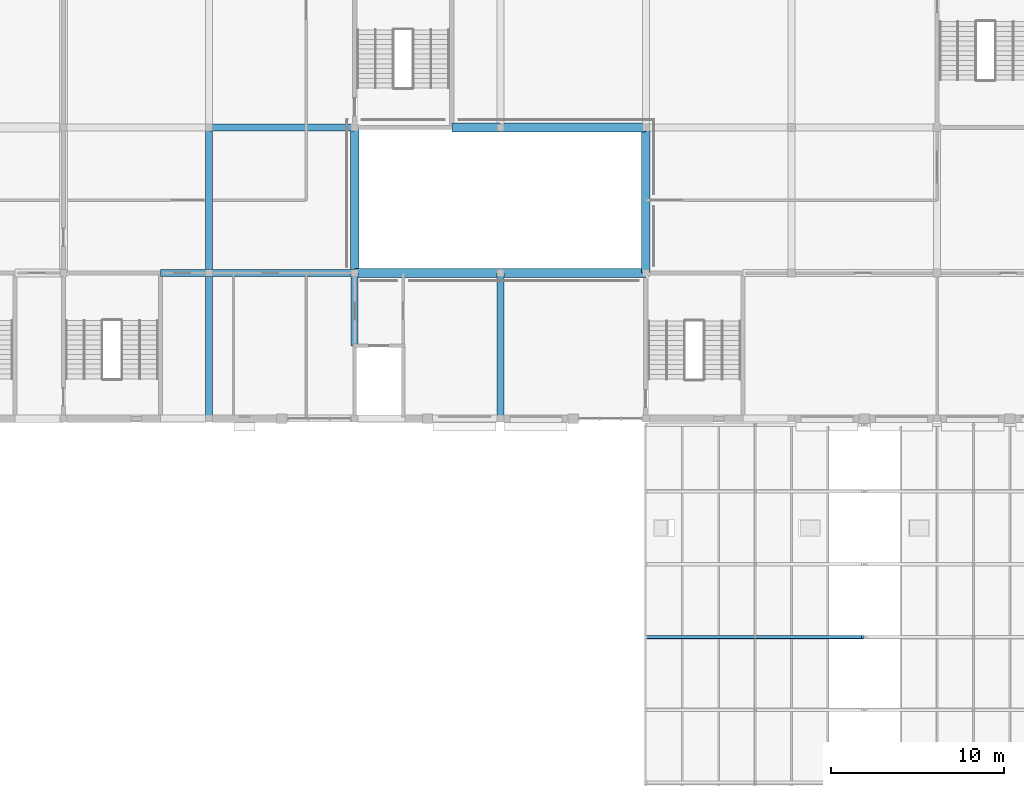
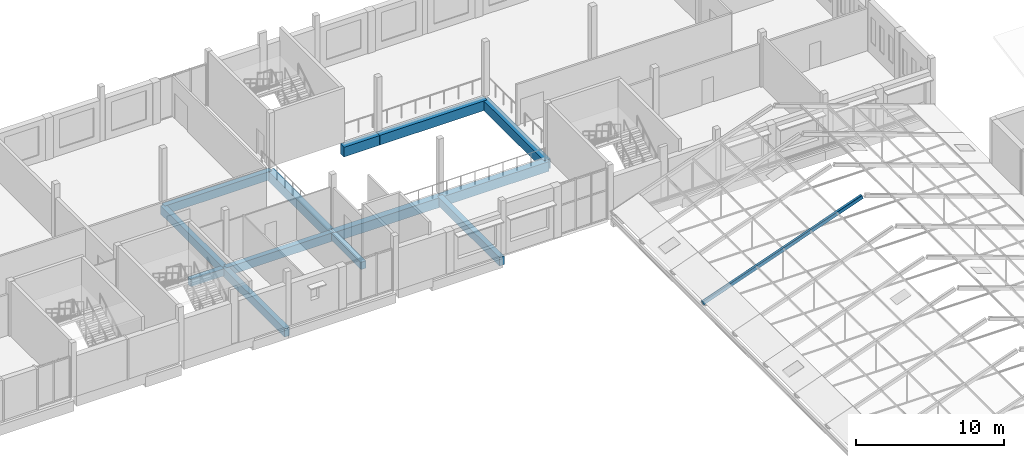
# One storey, part 64 of 116: 13 beams, 1 member.
"""IFC4 building model written with IfcOpenShell, lengths in metres."""

from ifc_helpers import new_model, si_unit, direction, frame, origin, origin_2d, place, context, subcontext, project, spatial, rectangle, hollow_rectangle, extrude, material, material_profile, profile_set, type_object, element, save


model = new_model("IFC4")

# Units and contexts
model_context = context("Model", 3, precision=1e-05, world=origin(), true_north=direction((0.0, 1.0)))
body_context = subcontext(model_context, "Body", "Model", "MODEL_VIEW")
ifc_project = project(units=[si_unit("LENGTHUNIT", "METRE"), si_unit("AREAUNIT", "SQUARE_METRE"), si_unit("VOLUMEUNIT", "CUBIC_METRE"), si_unit("PLANEANGLEUNIT", "RADIAN"), si_unit("MASSUNIT", "GRAM", prefix="KILO")], contexts=[model_context])

# Site, building, storey
site_placement = place(None, origin())
site = spatial("IfcSite", under=ifc_project, at=site_placement, CompositionType="ELEMENT")
building_placement = place(site_placement, origin())
building = spatial("IfcBuilding", under=site, at=building_placement, Name="Fescue Hill Polytechnic", CompositionType="ELEMENT")
storey_placement = place(building_placement, frame((0.0, 0.0, 13.5)))
storey = spatial("IfcBuildingStorey", under=building, at=storey_placement, Name="L03", CompositionType="ELEMENT", Elevation=13.5)

# Beams
ifc_material_1 = material(Name="Concrete 35 MPa", Category="concrete")
ifc_material_profile_1 = material_profile(ifc_material_1, rectangle(XDim=0.39990234375, YDim=0.60009765625, at=origin_2d()), Name="RC 400x600")
ifc_profile_set_1 = profile_set([ifc_material_profile_1], Name="Concrete 35 MPa")
beam_type_1 = type_object("IfcBeamType", Name="Beam RC 400x600", PredefinedType="BEAM", material=ifc_profile_set_1)
beam_1_placement = place(storey_placement, frame((64.39990234375, 117.60009765625, -0.60009765625), z_axis=(1.0, 0.0, 0.0), x_axis=(0.0, 1.0, 0.0)))
element("IfcBeam", 1, at=beam_1_placement, inside=storey, type_object=beam_type_1, Name="BM-L03-0084", PredefinedType="BEAM", context=body_context, shape_type="SweptSolid", body=[
    extrude(rectangle(XDim=0.39990234375, YDim=0.60009765625, at=origin_2d()), origin(), (0.0, 0.0, 1.0), 2.7900390625),
])
beam_2_placement = place(storey_placement, frame((75.60009765625, 113.39990234375, -0.60009765625), z_axis=(0.0, 1.0, 0.0), x_axis=(-1.0, 0.0, 0.0)))
element("IfcBeam", 2, at=beam_2_placement, inside=storey, type_object=beam_type_1, Name="BM-L03-0092", PredefinedType="BEAM", context=body_context, shape_type="SweptSolid", body=[
    extrude(rectangle(XDim=0.39990234375, YDim=0.60009765625, at=origin_2d()), origin(), (0.0, 0.0, 1.0), 4.2001953125),
])
ifc_material_profile_2 = material_profile(ifc_material_1, rectangle(XDim=0.39990234375, YDim=0.699951171875, at=origin_2d()), Name="RC 400x700")
ifc_profile_set_2 = profile_set([ifc_material_profile_2], Name="Concrete 35 MPa")
beam_type_2 = type_object("IfcBeamType", Name="Beam RC 400x700", PredefinedType="BEAM", material=ifc_profile_set_2)
beam_3_placement = place(storey_placement, frame((67.199951171875, 109.199951171875, -0.64990234375), z_axis=(0.0, 1.0, 0.0), x_axis=(-1.0, 0.0, 0.0)))
element("IfcBeam", 3, at=beam_3_placement, inside=storey, type_object=beam_type_2, Name="BM-L03-0085", PredefinedType="BEAM", context=body_context, shape_type="SweptSolid", body=[
    extrude(rectangle(XDim=0.39990234375, YDim=0.699951171875, at=origin_2d()), origin(), (0.0, 0.0, 1.0), 8.400146484375),
])
beam_4_placement = place(storey_placement, frame((67.199951171875, 117.60009765625, -0.64990234375), z_axis=(0.0, 1.0, 0.0), x_axis=(-1.0, 0.0, 0.0)))
element("IfcBeam", 4, at=beam_4_placement, inside=storey, type_object=beam_type_2, Name="BM-L03-0086", PredefinedType="BEAM", context=body_context, shape_type="SweptSolid", body=[
    extrude(rectangle(XDim=0.39990234375, YDim=0.699951171875, at=origin_2d()), origin(), (0.0, 0.0, 1.0), 8.39990234375),
])
for number, where, z_axis, x_axis, name in (
    (5, (67.2099609375, 117.60009765625, -0.64990234375), (1.0, 0.0, 0.0), (0.0, 1.0, 0.0), "BM-L03-0089"),
    (6, (67.2099609375, 126.0, -0.64990234375), (1.0, 0.0, 0.0), (0.0, 1.0, 0.0), "BM-L03-0090"),
):
    element("IfcBeam", number, at=place(storey_placement, frame(where, z_axis=z_axis, x_axis=x_axis)), inside=storey, type_object=beam_type_2, Name=name, PredefinedType="BEAM", context=body_context, shape_type="SweptSolid", body=[
        extrude(rectangle(XDim=0.39990234375, YDim=0.699951171875, at=origin_2d()), origin(), (0.0, 0.0, 1.0), 8.380126953125),
    ])
beam_5_placement = place(storey_placement, frame((84.0, 109.199951171875, -0.64990234375), z_axis=(0.0, 1.0, 0.0), x_axis=(-1.0, 0.0, 0.0)))
element("IfcBeam", 7, at=beam_5_placement, inside=storey, type_object=beam_type_2, Name="BM-L03-0098", PredefinedType="BEAM", context=body_context, shape_type="SweptSolid", body=[
    extrude(rectangle(XDim=0.39990234375, YDim=0.699951171875, at=origin_2d()), origin(), (0.0, 0.0, 1.0), 8.400146484375),
])
ifc_material_profile_3 = material_profile(ifc_material_1, rectangle(XDim=0.5, YDim=0.800048828125, at=origin_2d()), Name="RC 500x800")
ifc_profile_set_3 = profile_set([ifc_material_profile_3], Name="Concrete 35 MPa")
beam_type_3 = type_object("IfcBeamType", Name="Beam RC 500x800", PredefinedType="BEAM", material=ifc_profile_set_3)
beam_6_placement = place(storey_placement, frame((75.60009765625, 117.60009765625, -0.699951171875), z_axis=(0.0, 1.0, 0.0), x_axis=(-1.0, 0.0, 0.0)))
element("IfcBeam", 8, at=beam_6_placement, inside=storey, type_object=beam_type_3, Name="BM-L03-0093", PredefinedType="BEAM", context=body_context, shape_type="SweptSolid", body=[
    extrude(rectangle(XDim=0.5, YDim=0.800048828125, at=origin_2d()), origin(), (0.0, 0.0, 1.0), 8.39990234375),
])
beam_7_placement = place(storey_placement, frame((75.610107421875, 117.60009765625, -0.699951171875), z_axis=(1.0, 0.0, 0.0), x_axis=(0.0, 1.0, 0.0)))
element("IfcBeam", 9, at=beam_7_placement, inside=storey, type_object=beam_type_3, Name="BM-L03-0094", PredefinedType="BEAM", context=body_context, shape_type="SweptSolid", body=[
    extrude(rectangle(XDim=0.5, YDim=0.800048828125, at=origin_2d()), origin(), (0.0, 0.0, 1.0), 8.3798828125),
])
beam_8_placement = place(storey_placement, frame((81.199951171875, 126.0, -0.699951171875), z_axis=(1.0, 0.0, 0.0), x_axis=(0.0, 1.0, 0.0)))
element("IfcBeam", 10, at=beam_8_placement, inside=storey, type_object=beam_type_3, Name="BM-L03-0096", PredefinedType="BEAM", context=body_context, shape_type="SweptSolid", body=[
    extrude(rectangle(XDim=0.5, YDim=0.800048828125, at=origin_2d()), origin(), (0.0, 0.0, 1.0), 2.7900390625),
])
beam_9_placement = place(storey_placement, frame((84.010009765625, 117.60009765625, -0.699951171875), z_axis=(1.0, 0.0, 0.0), x_axis=(0.0, 1.0, 0.0)))
element("IfcBeam", 11, at=beam_9_placement, inside=storey, type_object=beam_type_3, Name="BM-L03-0100", PredefinedType="BEAM", context=body_context, shape_type="SweptSolid", body=[
    extrude(rectangle(XDim=0.5, YDim=0.800048828125, at=origin_2d()), origin(), (0.0, 0.0, 1.0), 8.389892578125),
])
beam_10_placement = place(storey_placement, frame((84.010009765625, 126.0, -0.699951171875), z_axis=(1.0, 0.0, 0.0), x_axis=(0.0, 1.0, 0.0)))
element("IfcBeam", 12, at=beam_10_placement, inside=storey, type_object=beam_type_3, Name="BM-L03-0101", PredefinedType="BEAM", context=body_context, shape_type="SweptSolid", body=[
    extrude(rectangle(XDim=0.5, YDim=0.800048828125, at=origin_2d()), origin(), (0.0, 0.0, 1.0), 8.3798828125),
])
beam_11_placement = place(storey_placement, frame((92.39990234375, 117.60009765625, -0.699951171875), z_axis=(0.0, 1.0, 0.0), x_axis=(-1.0, 0.0, 0.0)))
element("IfcBeam", 13, at=beam_11_placement, inside=storey, type_object=beam_type_3, Name="BM-L03-0103", PredefinedType="BEAM", context=body_context, shape_type="SweptSolid", body=[
    extrude(rectangle(XDim=0.5, YDim=0.800048828125, at=origin_2d()), origin(), (0.0, 0.0, 1.0), 8.39990234375),
])

# Member
ifc_material_2 = material(Name="Steel 350W (350 MPa)", Category="steel")
ifc_material_profile_4 = material_profile(ifc_material_2, hollow_rectangle(XDim=0.203125, YDim=0.3046875, WallThickness=0.009521484375, InnerFilletRadius=0.009521484375, OuterFilletRadius=0.01904296875, at=origin_2d()), Name="Winter garden rafter HSS 305x203x9.5")
ifc_profile_set_4 = profile_set([ifc_material_profile_4], Name="Steel 350W (350 MPa)")
member_type = type_object("IfcMemberType", Name="Winter garden rafter HSS 305x203x9.5", PredefinedType="RAFTER", material=ifc_profile_set_4)
member_placement = place(storey_placement, frame((92.39990234375, 96.60009765625, 0.578857421875), z_axis=(0.941740247025, 0.0, 0.336341057756), x_axis=(0.0, 1.0, 0.0)))
element("IfcMember", 14, at=member_placement, inside=storey, type_object=member_type, Name="Winter garden rafter W12", PredefinedType="RAFTER", context=body_context, shape_type="SweptSolid", body=[
    extrude(hollow_rectangle(XDim=0.203125, YDim=0.3046875, WallThickness=0.009521484375, InnerFilletRadius=0.009521484375, OuterFilletRadius=0.01904296875, at=origin_2d()), origin(), (0.0, 0.0, 1.0), 13.273193359375),
])

save(model, "model.ifc")
